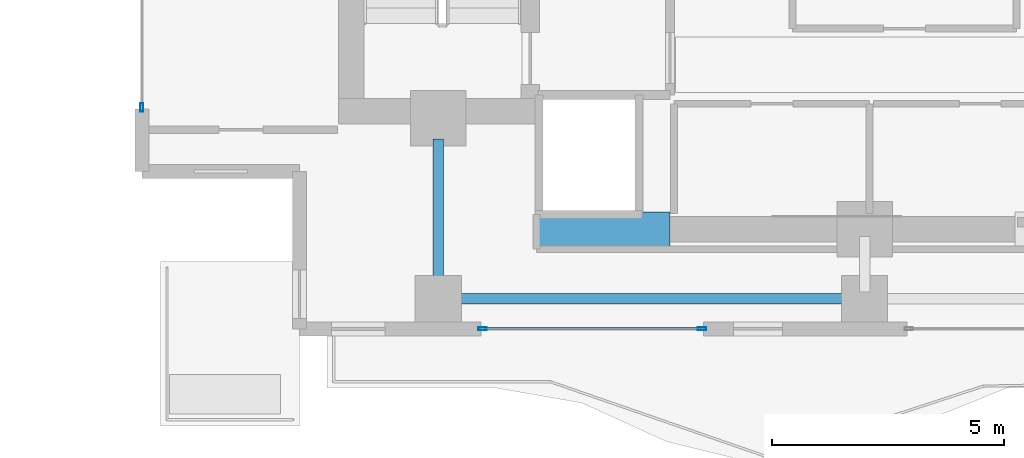
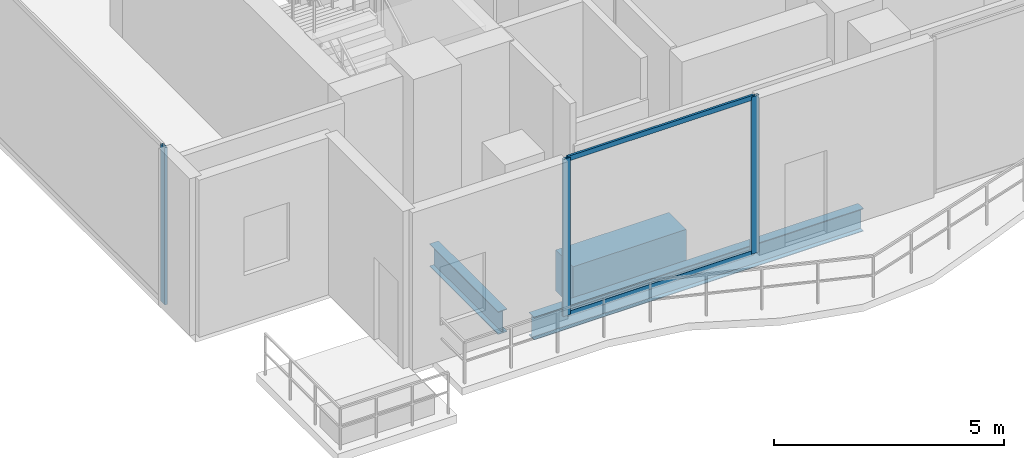
# One storey, part 2 of 24: 5 members, 3 beams, 2 elements without a shape of their own.
"""IFC4 building model written with IfcOpenShell, lengths in metres."""

from ifc_helpers import new_model, si_unit, direction, frame, origin, origin_2d, place, context, subcontext, project, spatial, rectangle, hollow_rectangle, i_section, extrude, material, layer, layer_set, material_profile, profile_set, type_object, element, aggregate, save


model = new_model("IFC4")

# Units and contexts
model_context = context("Model", 3, precision=1e-05, world=origin(), true_north=direction((0.0, 1.0)))
body_context = subcontext(model_context, "Body", "Model", "MODEL_VIEW")
ifc_project = project(units=[si_unit("LENGTHUNIT", "METRE"), si_unit("AREAUNIT", "SQUARE_METRE"), si_unit("VOLUMEUNIT", "CUBIC_METRE"), si_unit("PLANEANGLEUNIT", "RADIAN"), si_unit("MASSUNIT", "GRAM", prefix="KILO")], contexts=[model_context])

# Site, building, storey
site_placement = place(None, origin())
site = spatial("IfcSite", under=ifc_project, at=site_placement, CompositionType="ELEMENT")
building_placement = place(site_placement, origin())
building = spatial("IfcBuilding", under=site, at=building_placement, Name="Zuhayl Quay Hotel", CompositionType="ELEMENT")
storey_placement = place(building_placement, frame((0.0, 0.0, 284.050048828125)))
storey = spatial("IfcBuildingStorey", under=building, at=storey_placement, Name="L72", CompositionType="ELEMENT", Elevation=284.050048828125)

# Beams
ifc_material_1 = material(Name="Steel ASTM A992 Grade 50", Category="steel")
ifc_material_profile_1 = material_profile(ifc_material_1, i_section(OverallWidth=0.22802734375, OverallDepth=0.60693359375, WebThickness=0.01123046875, FlangeThickness=0.017333984375, at=origin_2d()), Name="W24X76")
ifc_profile_set_1 = profile_set([ifc_material_profile_1], Name="Steel ASTM A992 Grade 50")
beam_type_1 = type_object("IfcBeamType", Name="BM_B3_W24X76", PredefinedType="BEAM", material=ifc_profile_set_1)
beam_1_placement = place(storey_placement, frame((-13.340087890625, 0.64990234375, -0.5234375), z_axis=(1.0, 0.0, 0.0), x_axis=(0.0, 1.0, 0.0)))
element("IfcBeam", 1, at=beam_1_placement, inside=storey, type_object=beam_type_1, Name="L72 Floor Beam RG_L72_01", PredefinedType="BEAM", context=body_context, shape_type="SweptSolid", body=[
    extrude(i_section(OverallWidth=0.22802734375, OverallDepth=0.60693359375, WebThickness=0.01123046875, FlangeThickness=0.017333984375, at=origin_2d()), origin(), (0.0, 0.0, 1.0), 8.280029296875),
])
beam_2_placement = place(storey_placement, frame((-13.800048828125, 1.110107421875, -0.5234375), z_axis=(0.0, 1.0, 0.0), x_axis=(-1.0, 0.0, 0.0)))
element("IfcBeam", 2, at=beam_2_placement, inside=storey, type_object=beam_type_1, Name="L72 Floor Beam FG_S_L72_1", PredefinedType="BEAM", context=body_context, shape_type="SweptSolid", body=[
    extrude(i_section(OverallWidth=0.22802734375, OverallDepth=0.60693359375, WebThickness=0.01123046875, FlangeThickness=0.017333984375, at=origin_2d()), origin(), (0.0, 0.0, 1.0), 2.989990234375),
])
ifc_material_2 = material(Name="Concrete C60/75", Category="concrete")
ifc_material_profile_2 = material_profile(ifc_material_2, rectangle(XDim=0.75, YDim=1.10009765625, at=origin_2d()), Name="RC750X1100")
ifc_profile_set_2 = profile_set([ifc_material_profile_2], Name="Concrete C60/75")
beam_type_2 = type_object("IfcBeamType", Name="BM_CB2_RC750", PredefinedType="T_BEAM", material=ifc_profile_set_2)
beam_3_placement = place(storey_placement, frame((-11.64990234375, 2.14990234375, -0.77001953125), z_axis=(1.0, 0.0, 0.0), x_axis=(0.0, 1.0, 0.0)))
element("IfcBeam", 3, at=beam_3_placement, inside=storey, type_object=beam_type_2, Name="L72 Core Coupling Beam SW", PredefinedType="T_BEAM", context=body_context, shape_type="SweptSolid", body=[
    extrude(rectangle(XDim=0.75, YDim=1.10009765625, at=origin_2d()), origin(), (0.0, 0.0, 1.0), 2.849853515625),
])

# Curtain wall, member
ifc_material_3 = material(Name="Anodised Aluminium 6063-T6", Category="aluminium")
ifc_layer = layer(ifc_material_3, 0.169921875, Name="Anodised Aluminium 6063-T6", Category="aluminium")
ifc_layer_set = layer_set([ifc_layer], Name="Anodised Aluminium 6063-T6")
curtain_wall_type = type_object("IfcCurtainWallType", Name="CW_SYS_Z4", PredefinedType="USERDEFINED", material=ifc_layer_set)
curtain_wall_1_placement = place(storey_placement, origin())
curtain_wall_1 = element("IfcCurtainWall", 4, at=curtain_wall_1_placement, inside=storey, type_object=curtain_wall_type, Name="L72 Curtain Wall ENV_L72_E02_CW1", ObjectType="UNITISED CURTAIN WALL", PredefinedType="USERDEFINED")
ifc_material_4 = material(Name="Black-anodised aluminium 6063-T6", Category="aluminium")
ifc_material_profile_3 = material_profile(ifc_material_4, hollow_rectangle(XDim=0.06494140625, YDim=0.179931640625, WallThickness=0.00341796875, at=origin_2d()), Name="ALU180X65")
ifc_profile_set_3 = profile_set([ifc_material_profile_3], Name="Black-anodised aluminium 6063-T6")
member_type_1 = type_object("IfcMemberType", Name="MB_CW_MUL_180", PredefinedType="MULLION", material=ifc_profile_set_3)
member_1_placement = place(storey_placement, frame((-20.199951171875, 4.782470703125, 0.0), z_axis=(0.0, 0.0, 1.0), x_axis=(-1.0, 0.0, 0.0)))
member_1 = element("IfcMember", 5, at=member_1_placement, type_object=member_type_1, Name="CW-Z4 mullion 1", PredefinedType="MULLION", context=body_context, shape_type="SweptSolid", body=[
    extrude(hollow_rectangle(XDim=0.06494140625, YDim=0.179931640625, WallThickness=0.00341796875, at=origin_2d()), origin(), (0.0, 0.0, 1.0), 4.179931640625),
])
aggregate(curtain_wall_1, [member_1])

# Curtain wall, members
curtain_wall_2_placement = place(storey_placement, origin())
curtain_wall_2 = element("IfcCurtainWall", 6, at=curtain_wall_2_placement, inside=storey, type_object=curtain_wall_type, Name="L72 Curtain Wall ENV_L72_S_CW4", ObjectType="UNITISED CURTAIN WALL", PredefinedType="USERDEFINED")
member_2_placement = place(storey_placement, frame((-8.107421875, 0.0, 0.0), z_axis=(0.0, 0.0, 1.0), x_axis=(0.0, -1.0, 0.0)))
member_2 = element("IfcMember", 7, at=member_2_placement, type_object=member_type_1, Name="CW-Z4 mullion 1", PredefinedType="MULLION", context=body_context, shape_type="SweptSolid", body=[
    extrude(hollow_rectangle(XDim=0.06494140625, YDim=0.179931640625, WallThickness=0.00341796875, at=origin_2d()), origin(), (0.0, 0.0, 1.0), 4.179931640625),
])
member_3_placement = place(storey_placement, frame((-12.847412109375, 0.0, 0.0), z_axis=(0.0, 0.0, 1.0), x_axis=(0.0, -1.0, 0.0)))
member_3 = element("IfcMember", 8, at=member_3_placement, type_object=member_type_1, Name="CW-Z4 mullion 2", PredefinedType="MULLION", context=body_context, shape_type="SweptSolid", body=[
    extrude(hollow_rectangle(XDim=0.06494140625, YDim=0.179931640625, WallThickness=0.00341796875, at=origin_2d()), origin(), (0.0, 0.0, 1.0), 4.179931640625),
])
ifc_material_profile_4 = material_profile(ifc_material_4, hollow_rectangle(XDim=0.054931640625, YDim=0.1298828125, WallThickness=0.0029296875, at=origin_2d()), Name="ALU130X55")
ifc_profile_set_4 = profile_set([ifc_material_profile_4], Name="Black-anodised aluminium 6063-T6")
member_type_2 = type_object("IfcMemberType", Name="MB_CW_TRN_130", PredefinedType="USERDEFINED", material=ifc_profile_set_4)
member_4_placement = place(storey_placement, frame((-8.139892578125, 0.0, 0.02734375), z_axis=(-1.0, 0.0, 0.0), x_axis=(0.0, -1.0, 0.0)))
member_4 = element("IfcMember", 9, at=member_4_placement, type_object=member_type_2, Name="CW-Z4 transom 1.1", ObjectType="TRANSOM", PredefinedType="USERDEFINED", context=body_context, shape_type="SweptSolid", body=[
    extrude(hollow_rectangle(XDim=0.054931640625, YDim=0.1298828125, WallThickness=0.0029296875, at=origin_2d()), origin(), (0.0, 0.0, 1.0), 4.675048828125),
])
member_5_placement = place(storey_placement, frame((-8.139892578125, 0.0, 4.15234375), z_axis=(-1.0, 0.0, 0.0), x_axis=(0.0, -1.0, 0.0)))
member_5 = element("IfcMember", 10, at=member_5_placement, type_object=member_type_2, Name="CW-Z4 transom 1.2", ObjectType="TRANSOM", PredefinedType="USERDEFINED", context=body_context, shape_type="SweptSolid", body=[
    extrude(hollow_rectangle(XDim=0.054931640625, YDim=0.1298828125, WallThickness=0.0029296875, at=origin_2d()), origin(), (0.0, 0.0, 1.0), 4.675048828125),
])
aggregate(curtain_wall_2, [member_2, member_3, member_4, member_5])

save(model, "model.ifc")
